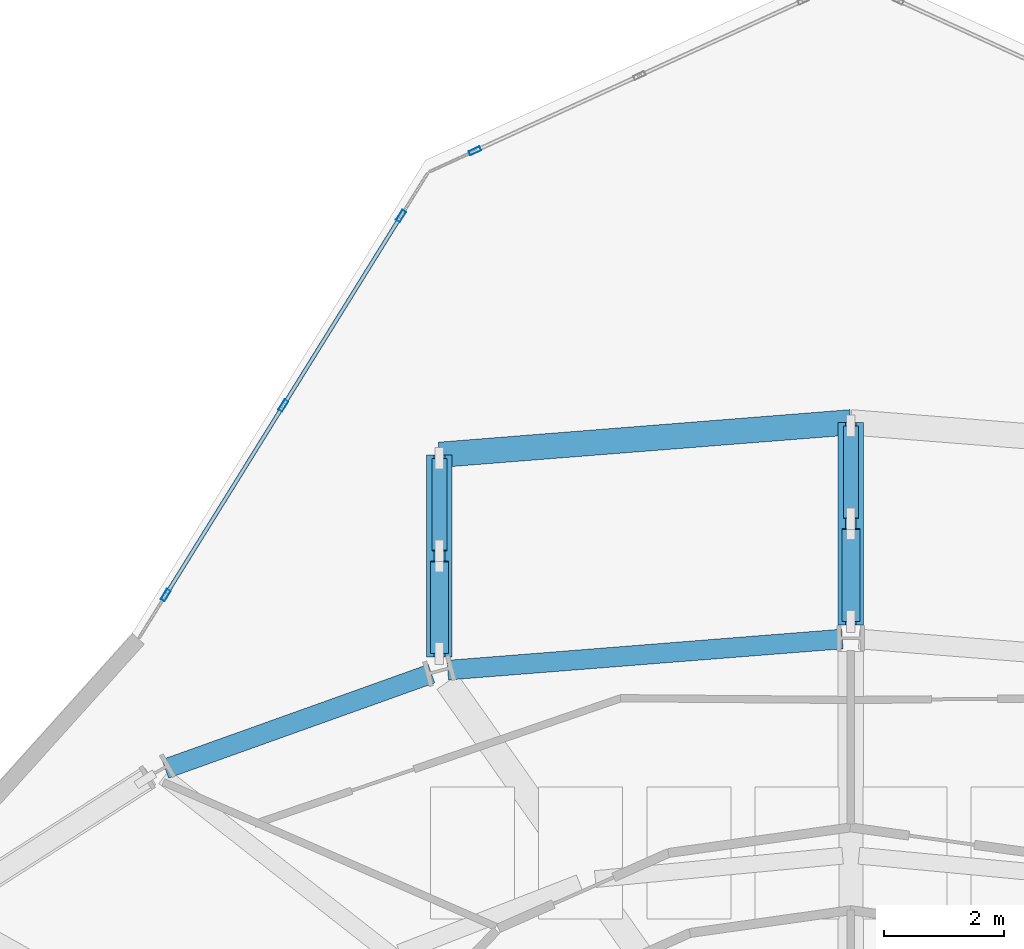
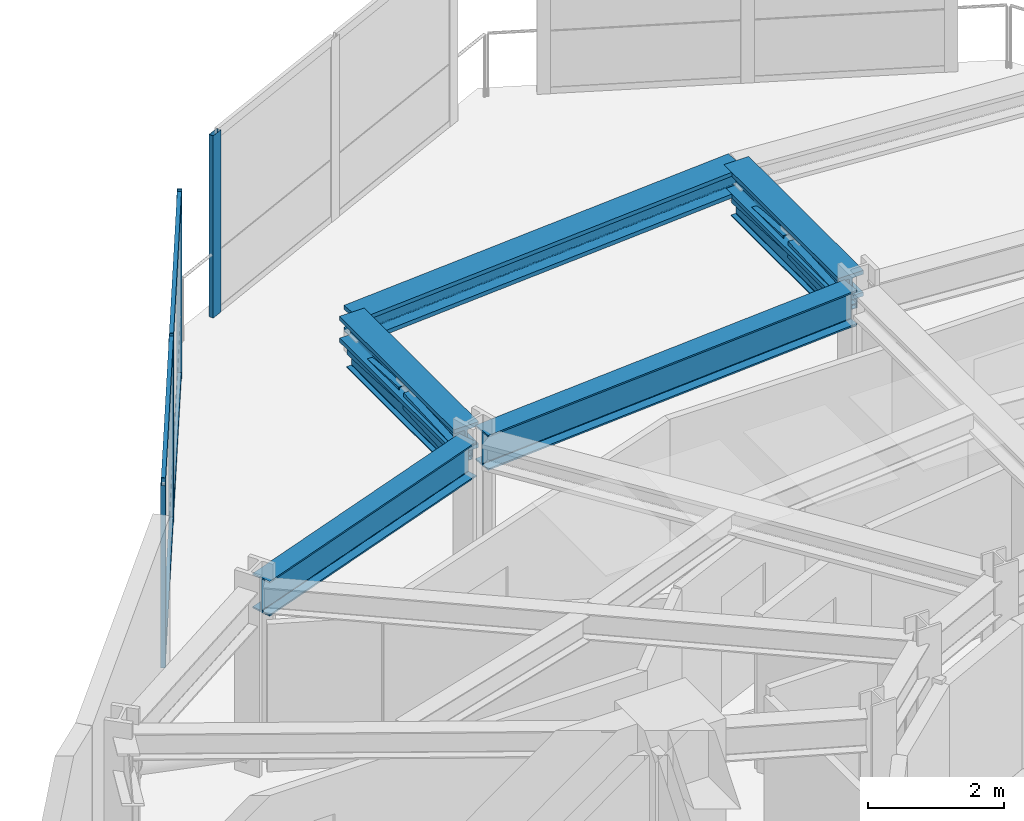
# One storey, part 13 of 25: 12 members, 7 beams, 2 elements without a shape of their own.
"""IFC4 building model written with IfcOpenShell, lengths in metres."""

from ifc_helpers import new_model, si_unit, direction, frame, origin, origin_2d, place, context, subcontext, project, spatial, hollow_rectangle, i_section, extrude, material, layer, layer_set, material_profile, profile_set, type_object, element, aggregate, save


model = new_model("IFC4")

# Units and contexts
model_context = context("Model", 3, precision=1e-05, world=origin(), true_north=direction((0.0, 1.0)))
body_context = subcontext(model_context, "Body", "Model", "MODEL_VIEW")
ifc_project = project(units=[si_unit("LENGTHUNIT", "METRE"), si_unit("AREAUNIT", "SQUARE_METRE"), si_unit("VOLUMEUNIT", "CUBIC_METRE"), si_unit("PLANEANGLEUNIT", "RADIAN"), si_unit("MASSUNIT", "GRAM", prefix="KILO")], contexts=[model_context])

# Site, building, storey
site_placement = place(None, origin())
site = spatial("IfcSite", under=ifc_project, at=site_placement, CompositionType="ELEMENT")
building_placement = place(site_placement, origin())
building = spatial("IfcBuilding", under=site, at=building_placement, Name="Solvane Sanctuary Tower", CompositionType="ELEMENT")
storey_placement = place(building_placement, frame((0.0, 0.0, 238.800048828125)))
storey = spatial("IfcBuildingStorey", under=building, at=storey_placement, Name="L73", CompositionType="ELEMENT", Elevation=238.800048828125)

# Beams
ifc_material_1 = material(Name="Steel ASTM A913 Grade 65", Category="steel")
ifc_material_profile_1 = material_profile(ifc_material_1, i_section(OverallWidth=0.422119140625, OverallDepth=0.465087890625, WebThickness=0.044921875, FlangeThickness=0.072509765625, FilletRadius=0.02490234375, at=origin_2d()), Name="W14X398")
ifc_profile_set_1 = profile_set([ifc_material_profile_1], Name="Steel ASTM A913 Grade 65")
beam_type_1 = type_object("IfcBeamType", Name="Beam B-CANT-CH W14X398", PredefinedType="BEAM", material=ifc_profile_set_1)
beam_1_placement = place(storey_placement, frame((25.143798828125, 38.36669921875, 3.08544921875), z_axis=(0.0, 1.0, 0.0), x_axis=(-1.0, 0.0, 0.0)))
element("IfcBeam", 1, at=beam_1_placement, inside=storey, type_object=beam_type_1, Name="L73 Sky-Dining Truss Top Chord C05", PredefinedType="BEAM", context=body_context, shape_type="SweptSolid", body=[
    extrude(i_section(OverallWidth=0.422119140625, OverallDepth=0.465087890625, WebThickness=0.044921875, FlangeThickness=0.072509765625, FilletRadius=0.02490234375, at=origin_2d()), origin(), (0.0, 0.0, 1.0), 3.37158203125),
])
beam_2_placement = place(storey_placement, frame((32.0, 38.90087890625, 3.08544921875), z_axis=(0.0, 1.0, 0.0), x_axis=(-1.0, 0.0, 0.0)))
element("IfcBeam", 2, at=beam_2_placement, inside=storey, type_object=beam_type_1, Name="L73 Sky-Dining Truss Top Chord C04", PredefinedType="BEAM", context=body_context, shape_type="SweptSolid", body=[
    extrude(i_section(OverallWidth=0.422119140625, OverallDepth=0.465087890625, WebThickness=0.044921875, FlangeThickness=0.072509765625, FilletRadius=0.02490234375, at=origin_2d()), origin(), (0.0, 0.0, 1.0), 3.379150390625),
])
beam_3_placement = place(storey_placement, frame((25.143798828125, 41.73828125, 3.08544921875), z_axis=(0.996892795984, 0.078770256536, 0.0), x_axis=(-0.078770256536, 0.996892795984, 0.0)))
element("IfcBeam", 3, at=beam_3_placement, inside=storey, type_object=beam_type_1, Name="L73 Sky-Dining Transverse Tie Beam 1", PredefinedType="BEAM", context=body_context, shape_type="SweptSolid", body=[
    extrude(i_section(OverallWidth=0.422119140625, OverallDepth=0.465087890625, WebThickness=0.044921875, FlangeThickness=0.072509765625, FilletRadius=0.02490234375, at=origin_2d()), origin(), (0.0, 0.0, 1.0), 6.877685546875),
])
ifc_material_2 = material(Name="Steel ASTM A992 Grade 50", Category="steel")
ifc_material_profile_2 = material_profile(ifc_material_2, i_section(OverallWidth=0.180908203125, OverallDepth=0.4169921875, WebThickness=0.010986328125, FlangeThickness=0.018310546875, FilletRadius=0.012939453125, at=origin_2d()), Name="W16X57")
ifc_profile_set_2 = profile_set([ifc_material_profile_2], Name="Steel ASTM A992 Grade 50")
beam_type_2 = type_object("IfcBeamType", Name="Beam B-ROOF-BM W16X57", PredefinedType="BEAM", material=ifc_profile_set_2)
beam_4_placement = place(storey_placement, frame((25.143798828125, 38.36669921875, 2.56005859375), z_axis=(0.0, 1.0, 0.0), x_axis=(-1.0, 0.0, 0.0)))
element("IfcBeam", 4, at=beam_4_placement, inside=storey, type_object=beam_type_2, Name="L73 Sky-Dining Truss Bottom Chord C05", PredefinedType="BEAM", context=body_context, shape_type="SweptSolid", body=[
    extrude(i_section(OverallWidth=0.180908203125, OverallDepth=0.4169921875, WebThickness=0.010986328125, FlangeThickness=0.018310546875, FilletRadius=0.012939453125, at=origin_2d()), origin(), (0.0, 0.0, 1.0), 3.37158203125),
])
beam_5_placement = place(storey_placement, frame((32.0, 38.90087890625, 2.56005859375), z_axis=(0.0, 1.0, 0.0), x_axis=(-1.0, 0.0, 0.0)))
element("IfcBeam", 5, at=beam_5_placement, inside=storey, type_object=beam_type_2, Name="L73 Sky-Dining Truss Bottom Chord C04", PredefinedType="BEAM", context=body_context, shape_type="SweptSolid", body=[
    extrude(i_section(OverallWidth=0.180908203125, OverallDepth=0.4169921875, WebThickness=0.010986328125, FlangeThickness=0.018310546875, FilletRadius=0.012939453125, at=origin_2d()), origin(), (0.0, 0.0, 1.0), 3.379150390625),
])
ifc_material_profile_3 = material_profile(ifc_material_2, i_section(OverallWidth=0.327880859375, OverallDepth=0.6279296875, WebThickness=0.0166015625, FlangeThickness=0.027587890625, FilletRadius=0.01611328125, at=origin_2d()), Name="W24X146")
ifc_profile_set_3 = profile_set([ifc_material_profile_3], Name="Steel ASTM A992 Grade 50")
beam_type_3 = type_object("IfcBeamType", Name="Beam B-SPAND-Z3 W24X146", PredefinedType="SPANDREL", material=ifc_profile_set_3)
beam_6_placement = place(storey_placement, frame((20.57666015625, 36.50439453125, 3.00390625), z_axis=(0.941570600413, 0.336815683184, 0.0), x_axis=(-0.336815683184, 0.941570600413, 0.0)))
element("IfcBeam", 6, at=beam_6_placement, inside=storey, type_object=beam_type_3, Name="L73 Perimeter Spandrel Beam TC06-TC05", PredefinedType="SPANDREL", context=body_context, shape_type="SweptSolid", body=[
    extrude(i_section(OverallWidth=0.327880859375, OverallDepth=0.6279296875, WebThickness=0.0166015625, FlangeThickness=0.027587890625, FilletRadius=0.01611328125, at=origin_2d()), origin(), (0.0, 0.0, 1.0), 4.710693359375),
])
beam_7_placement = place(storey_placement, frame((25.283447265625, 38.1494140625, 3.00390625), z_axis=(0.996894556567, 0.078747971951, 0.0), x_axis=(-0.078747971951, 0.996894556567, 0.0)))
element("IfcBeam", 7, at=beam_7_placement, inside=storey, type_object=beam_type_3, Name="L73 Perimeter Spandrel Beam TC05-TC04", PredefinedType="SPANDREL", context=body_context, shape_type="SweptSolid", body=[
    extrude(i_section(OverallWidth=0.327880859375, OverallDepth=0.6279296875, WebThickness=0.0166015625, FlangeThickness=0.027587890625, FilletRadius=0.01611328125, at=origin_2d()), origin(), (0.0, 0.0, 1.0), 6.597412109375),
])

# Members
ifc_material_profile_4 = material_profile(ifc_material_1, hollow_rectangle(XDim=0.300048828125, YDim=0.300048828125, WallThickness=0.012451171875, at=origin_2d()), Name="HSS300X300X12.5")
ifc_profile_set_4 = profile_set([ifc_material_profile_4], Name="Steel ASTM A913 Grade 65")
member_type_1 = type_object("IfcMemberType", Name="Member M-CANT-DIAG HSS300X300X12.5", PredefinedType="STRUT", material=ifc_profile_set_4)
member_1_placement = place(storey_placement, frame((25.143798828125, 38.431640625, 2.768798828125), z_axis=(0.0, 0.998643226511, 0.05207404482), x_axis=(-1.0, 0.0, 0.0)))
element("IfcMember", 8, at=member_1_placement, inside=storey, type_object=member_type_1, Name="L73 Sky-Dining Truss Diagonal C05-P1", PredefinedType="STRUT", context=body_context, shape_type="SweptSolid", body=[
    extrude(hollow_rectangle(XDim=0.300048828125, YDim=0.300048828125, WallThickness=0.012451171875, at=origin_2d()), origin(), (0.0, 0.0, 1.0), 1.533203125),
])
member_2_placement = place(storey_placement, frame((32.0, 38.966064453125, 2.768798828125), z_axis=(0.0, 0.998649252047, 0.05195836204), x_axis=(-1.0, 0.0, 0.0)))
element("IfcMember", 9, at=member_2_placement, inside=storey, type_object=member_type_1, Name="L73 Sky-Dining Truss Diagonal C04-P1", PredefinedType="STRUT", context=body_context, shape_type="SweptSolid", body=[
    extrude(hollow_rectangle(XDim=0.300048828125, YDim=0.300048828125, WallThickness=0.012451171875, at=origin_2d()), origin(), (0.0, 0.0, 1.0), 1.53662109375),
])
ifc_material_profile_5 = material_profile(ifc_material_1, hollow_rectangle(XDim=0.25, YDim=0.25, WallThickness=0.012451171875, at=origin_2d()), Name="HSS250X250X12.5")
ifc_profile_set_5 = profile_set([ifc_material_profile_5], Name="Steel ASTM A913 Grade 65")
member_type_2 = type_object("IfcMemberType", Name="Member M-CANT-POST HSS250X250X12.5", PredefinedType="POST", material=ifc_profile_set_5)
member_3_placement = place(storey_placement, frame((25.143798828125, 40.142333984375, 2.8486328125), z_axis=(0.0, 0.998643226511, -0.05207404482), x_axis=(-1.0, 0.0, 0.0)))
element("IfcMember", 10, at=member_3_placement, inside=storey, type_object=member_type_2, Name="L73 Sky-Dining Truss Web Post C05-P1", PredefinedType="POST", context=body_context, shape_type="SweptSolid", body=[
    extrude(hollow_rectangle(XDim=0.25, YDim=0.25, WallThickness=0.012451171875, at=origin_2d()), origin(), (0.0, 0.0, 1.0), 1.533203125),
])
member_4_placement = place(storey_placement, frame((32.0, 40.680419921875, 2.8486328125), z_axis=(0.0, 0.998649680907, -0.051950118622), x_axis=(-1.0, 0.0, 0.0)))
element("IfcMember", 11, at=member_4_placement, inside=storey, type_object=member_type_2, Name="L73 Sky-Dining Truss Web Post C04-P1", PredefinedType="POST", context=body_context, shape_type="SweptSolid", body=[
    extrude(hollow_rectangle(XDim=0.25, YDim=0.25, WallThickness=0.012451171875, at=origin_2d()), origin(), (0.0, 0.0, 1.0), 1.53662109375),
])

# Curtain wall, member
ifc_material_3 = material(Name="Anodised Aluminium 6063-T6", Category="aluminium")
ifc_layer = layer(ifc_material_3, 0.18994140625, Name="Anodised Aluminium 6063-T6")
ifc_layer_set = layer_set([ifc_layer], Name="Anodised Aluminium 6063-T6")
curtain_wall_type = type_object("IfcCurtainWallType", Name="Curtain Wall CW-OPER", PredefinedType="NOTDEFINED", material=ifc_layer_set)
curtain_wall_1_placement = place(storey_placement, origin())
curtain_wall_1 = element("IfcCurtainWall", 12, at=curtain_wall_1_placement, inside=storey, type_object=curtain_wall_type, Name="L73 CW-OPER Facade Run 06", PredefinedType="NOTDEFINED")
ifc_material_profile_6 = material_profile(ifc_material_3, hollow_rectangle(XDim=0.074951171875, YDim=0.199951171875, WallThickness=0.00390625, at=origin_2d()), Name="ALU200X75X4")
ifc_profile_set_6 = profile_set([ifc_material_profile_6], Name="Anodised Aluminium 6063-T6")
member_type_3 = type_object("IfcMemberType", Name="Member M-CW-MUL-1 ALU200X75X4", PredefinedType="MULLION", material=ifc_profile_set_6)
member_5_placement = place(storey_placement, frame((25.73681640625, 46.80322265625, 0.0), z_axis=(0.0, 0.0, 1.0), x_axis=(0.416224941032, -0.909261677661, 0.0)))
member_5 = element("IfcMember", 13, at=member_5_placement, type_object=member_type_3, Name="CW-OPER mullion 3", PredefinedType="MULLION", context=body_context, shape_type="SweptSolid", body=[
    extrude(hollow_rectangle(XDim=0.074951171875, YDim=0.199951171875, WallThickness=0.00390625, at=origin_2d()), origin(), (0.0, 0.0, 1.0), 3.280029296875),
])
aggregate(curtain_wall_1, [member_5])

# Curtain wall, members
curtain_wall_2_placement = place(storey_placement, origin())
curtain_wall_2 = element("IfcCurtainWall", 14, at=curtain_wall_2_placement, inside=storey, type_object=curtain_wall_type, Name="L73 CW-OPER Facade Run 07", PredefinedType="NOTDEFINED")
member_6_placement = place(storey_placement, frame((24.504638671875, 45.7177734375, 0.0), z_axis=(0.0, 0.0, 1.0), x_axis=(0.849622273102, -0.527391688453, 0.0)))
member_6 = element("IfcMember", 15, at=member_6_placement, type_object=member_type_3, Name="CW-OPER mullion 1", PredefinedType="MULLION", context=body_context, shape_type="SweptSolid", body=[
    extrude(hollow_rectangle(XDim=0.074951171875, YDim=0.199951171875, WallThickness=0.00390625, at=origin_2d()), origin(), (0.0, 0.0, 1.0), 3.280029296875),
])
member_7_placement = place(storey_placement, frame((22.54345703125, 42.558349609375, 0.0), z_axis=(0.0, 0.0, 1.0), x_axis=(0.849622273102, -0.527391688453, 0.0)))
member_7 = element("IfcMember", 16, at=member_7_placement, type_object=member_type_3, Name="CW-OPER mullion 2", PredefinedType="MULLION", context=body_context, shape_type="SweptSolid", body=[
    extrude(hollow_rectangle(XDim=0.074951171875, YDim=0.199951171875, WallThickness=0.00390625, at=origin_2d()), origin(), (0.0, 0.0, 1.0), 3.280029296875),
])
member_8_placement = place(storey_placement, frame((20.582275390625, 39.398681640625, 0.0), z_axis=(0.0, 0.0, 1.0), x_axis=(0.849622273102, -0.527391688453, 0.0)))
member_8 = element("IfcMember", 17, at=member_8_placement, type_object=member_type_3, Name="CW-OPER mullion 3", PredefinedType="MULLION", context=body_context, shape_type="SweptSolid", body=[
    extrude(hollow_rectangle(XDim=0.074951171875, YDim=0.199951171875, WallThickness=0.00390625, at=origin_2d()), origin(), (0.0, 0.0, 1.0), 3.280029296875),
])
ifc_material_profile_7 = material_profile(ifc_material_3, hollow_rectangle(XDim=0.06494140625, YDim=0.159912109375, WallThickness=0.00341796875, at=origin_2d()), Name="ALU160X65X3.5")
ifc_profile_set_7 = profile_set([ifc_material_profile_7], Name="Anodised Aluminium 6063-T6")
member_type_4 = type_object("IfcMemberType", Name="Member M-CW-TRN-1 ALU160X65X3.5", PredefinedType="USERDEFINED", material=ifc_profile_set_7)
member_9_placement = place(storey_placement, frame((24.48486328125, 45.68603515625, 0.032470703125), z_axis=(-0.527364529612, -0.849639130989, 0.0), x_axis=(0.849639130989, -0.527364529612, 0.0)))
member_9 = element("IfcMember", 18, at=member_9_placement, type_object=member_type_4, Name="CW-OPER transom 1.1", ObjectType="TRANSOM", PredefinedType="USERDEFINED", context=body_context, shape_type="SweptSolid", body=[
    extrude(hollow_rectangle(XDim=0.06494140625, YDim=0.159912109375, WallThickness=0.00341796875, at=origin_2d()), origin(), (0.0, 0.0, 1.0), 3.643798828125),
])
member_10_placement = place(storey_placement, frame((24.48486328125, 45.68603515625, 3.24755859375), z_axis=(-0.527364529612, -0.849639130989, 0.0), x_axis=(0.849639130989, -0.527364529612, 0.0)))
member_10 = element("IfcMember", 19, at=member_10_placement, type_object=member_type_4, Name="CW-OPER transom 1.2", ObjectType="TRANSOM", PredefinedType="USERDEFINED", context=body_context, shape_type="SweptSolid", body=[
    extrude(hollow_rectangle(XDim=0.06494140625, YDim=0.159912109375, WallThickness=0.00341796875, at=origin_2d()), origin(), (0.0, 0.0, 1.0), 3.643798828125),
])
member_11_placement = place(storey_placement, frame((22.523681640625, 42.5263671875, 0.032470703125), z_axis=(-0.527364529612, -0.849639130989, 0.0), x_axis=(0.849639130989, -0.527364529612, 0.0)))
member_11 = element("IfcMember", 20, at=member_11_placement, type_object=member_type_4, Name="CW-OPER transom 2.1", ObjectType="TRANSOM", PredefinedType="USERDEFINED", context=body_context, shape_type="SweptSolid", body=[
    extrude(hollow_rectangle(XDim=0.06494140625, YDim=0.159912109375, WallThickness=0.00341796875, at=origin_2d()), origin(), (0.0, 0.0, 1.0), 3.643798828125),
])
member_12_placement = place(storey_placement, frame((22.523681640625, 42.5263671875, 3.24755859375), z_axis=(-0.527364529612, -0.849639130989, 0.0), x_axis=(0.849639130989, -0.527364529612, 0.0)))
member_12 = element("IfcMember", 21, at=member_12_placement, type_object=member_type_4, Name="CW-OPER transom 2.2", ObjectType="TRANSOM", PredefinedType="USERDEFINED", context=body_context, shape_type="SweptSolid", body=[
    extrude(hollow_rectangle(XDim=0.06494140625, YDim=0.159912109375, WallThickness=0.00341796875, at=origin_2d()), origin(), (0.0, 0.0, 1.0), 3.643798828125),
])
aggregate(curtain_wall_2, [member_6, member_7, member_8, member_9, member_10, member_11, member_12])

save(model, "model.ifc")
